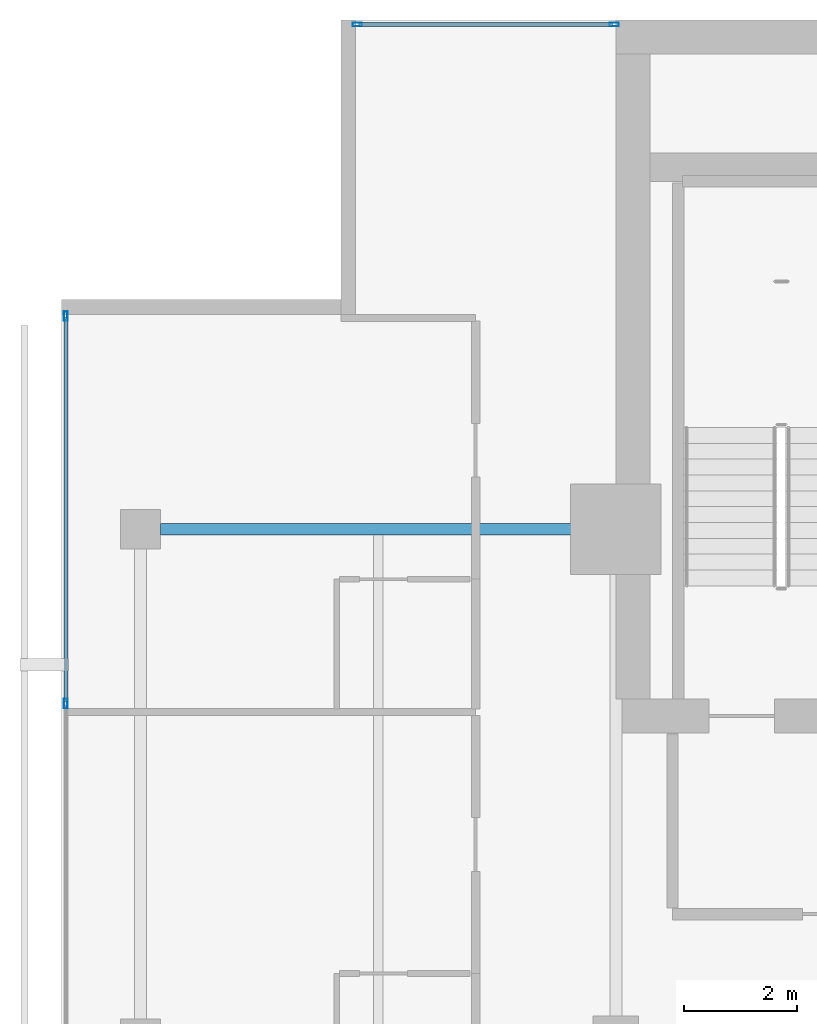
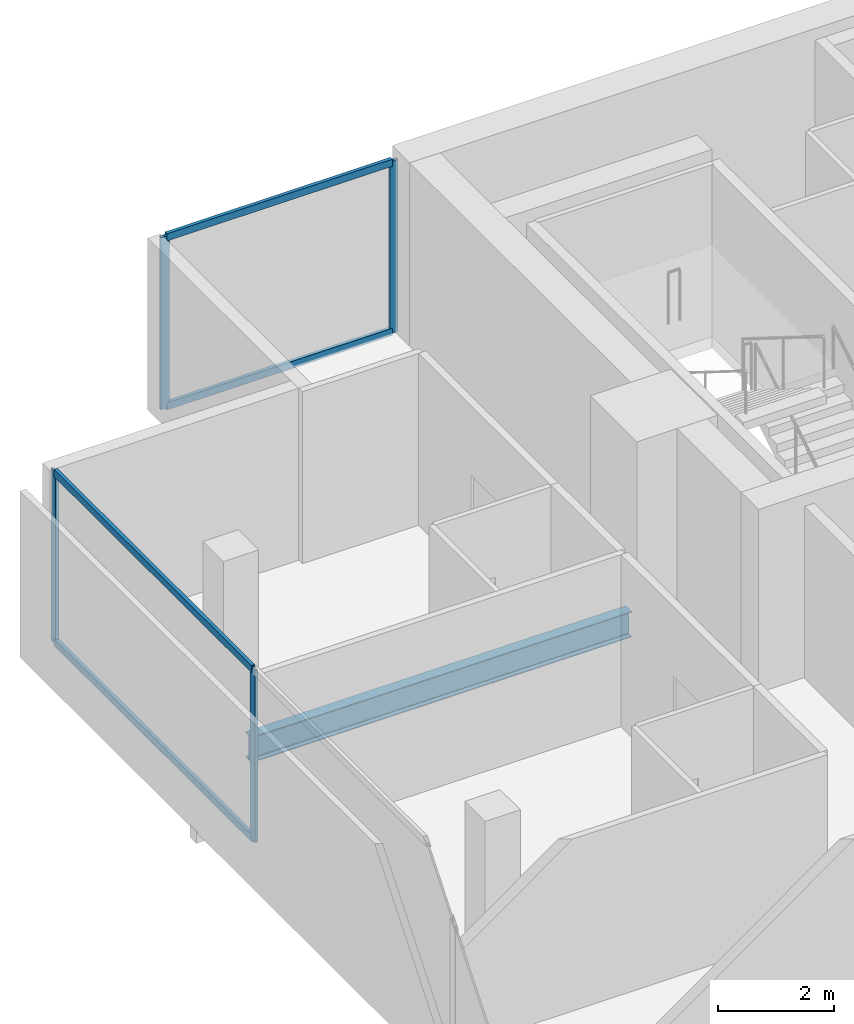
# One storey, part 16 of 25: 8 members, 1 beam, 2 elements without a shape of their own.
"""IFC4 building model written with IfcOpenShell, lengths in metres."""

from ifc_helpers import new_model, si_unit, direction, frame, origin, origin_2d, place, context, subcontext, project, spatial, hollow_rectangle, i_section, extrude, material, layer, layer_set, material_profile, profile_set, type_object, element, aggregate, save


model = new_model("IFC4")

# Units and contexts
model_context = context("Model", 3, precision=1e-05, world=origin(), true_north=direction((0.0, 1.0)))
body_context = subcontext(model_context, "Body", "Model", "MODEL_VIEW")
ifc_project = project(units=[si_unit("LENGTHUNIT", "METRE"), si_unit("AREAUNIT", "SQUARE_METRE"), si_unit("VOLUMEUNIT", "CUBIC_METRE"), si_unit("PLANEANGLEUNIT", "RADIAN"), si_unit("MASSUNIT", "GRAM", prefix="KILO")], contexts=[model_context])

# Site, building, storey
site_placement = place(None, origin())
site = spatial("IfcSite", under=ifc_project, at=site_placement, CompositionType="ELEMENT")
building_placement = place(site_placement, origin())
building = spatial("IfcBuilding", under=site, at=building_placement, Name="Maruvema Waterfront Hotel and Observation Tower", CompositionType="ELEMENT")
storey_placement = place(building_placement, frame((0.0, 0.0, 250.949951171875)))
storey = spatial("IfcBuildingStorey", under=building, at=storey_placement, Name="L61", CompositionType="ELEMENT", Elevation=250.949951171875)

# Curtain wall, members
ifc_material_1 = material(Name="Anodised bronze aluminium and solar-control low-E IGU", Category="aluminium")
ifc_layer = layer(ifc_material_1, 0.159912109375, Name="Zone 3 Champagne Inner Thermal Curtain Wall System CW-04")
ifc_layer_set = layer_set([ifc_layer], Name="Anodised bronze aluminium and solar-control low-E IGU")
curtain_wall_type = type_object("IfcCurtainWallType", Name="Zone 3 Champagne Inner Thermal Curtain Wall System CW-04", PredefinedType="USERDEFINED", material=ifc_layer_set)
curtain_wall_1_placement = place(storey_placement, origin())
curtain_wall_1 = element("IfcCurtainWall", 1, at=curtain_wall_1_placement, inside=storey, type_object=curtain_wall_type, Name="L61 Curtain Wall CW-L61-W", ObjectType="UNITISED CURTAIN WALL", PredefinedType="USERDEFINED")
ifc_material_2 = material(Name="Anodised architectural bronze aluminium", Category="aluminium")
ifc_material_profile_1 = material_profile(ifc_material_2, hollow_rectangle(XDim=0.070068359375, YDim=0.14990234375, WallThickness=0.00390625, at=origin_2d()), Name="ALU-T70x150")
ifc_profile_set_1 = profile_set([ifc_material_profile_1], Name="Anodised architectural bronze aluminium")
member_type_1 = type_object("IfcMemberType", Name="Curtain Wall Horizontal Transom ALU-T70x150", PredefinedType="USERDEFINED", material=ifc_profile_set_1)
member_1_placement = place(storey_placement, frame((15.47998046875, 48.739990234375, 0.030029296875), z_axis=(0.0, -1.0, 0.0), x_axis=(1.0, 0.0, 0.0)))
member_1 = element("IfcMember", 2, at=member_1_placement, type_object=member_type_1, Name="CW-04 transom 1.1", ObjectType="TRANSOM", PredefinedType="USERDEFINED", context=body_context, shape_type="SweptSolid", body=[
    extrude(hollow_rectangle(XDim=0.070068359375, YDim=0.14990234375, WallThickness=0.00390625, at=origin_2d()), origin(), (0.0, 0.0, 1.0), 6.7900390625),
])
member_2_placement = place(storey_placement, frame((15.47998046875, 48.739990234375, 3.580078125), z_axis=(0.0, -1.0, 0.0), x_axis=(1.0, 0.0, 0.0)))
member_2 = element("IfcMember", 3, at=member_2_placement, type_object=member_type_1, Name="CW-04 transom 1.2", ObjectType="TRANSOM", PredefinedType="USERDEFINED", context=body_context, shape_type="SweptSolid", body=[
    extrude(hollow_rectangle(XDim=0.070068359375, YDim=0.14990234375, WallThickness=0.00390625, at=origin_2d()), origin(), (0.0, 0.0, 1.0), 6.7900390625),
])

curtain_wall_2_placement = place(storey_placement, origin())
curtain_wall_2 = element("IfcCurtainWall", 4, at=curtain_wall_2_placement, inside=storey, type_object=curtain_wall_type, Name="L61 Curtain Wall CW-L61-NW", ObjectType="UNITISED CURTAIN WALL", PredefinedType="USERDEFINED")
member_3_placement = place(storey_placement, frame((25.139892578125, 53.919921875, 0.030029296875), z_axis=(-1.0, 0.0, 0.0), x_axis=(0.0, -1.0, 0.0)))
member_3 = element("IfcMember", 5, at=member_3_placement, type_object=member_type_1, Name="CW-04 transom 1.1", ObjectType="TRANSOM", PredefinedType="USERDEFINED", context=body_context, shape_type="SweptSolid", body=[
    extrude(hollow_rectangle(XDim=0.070068359375, YDim=0.14990234375, WallThickness=0.00390625, at=origin_2d()), origin(), (0.0, 0.0, 1.0), 4.47998046875),
])
member_4_placement = place(storey_placement, frame((25.139892578125, 53.919921875, 3.580078125), z_axis=(-1.0, 0.0, 0.0), x_axis=(0.0, -1.0, 0.0)))
member_4 = element("IfcMember", 6, at=member_4_placement, type_object=member_type_1, Name="CW-04 transom 1.2", ObjectType="TRANSOM", PredefinedType="USERDEFINED", context=body_context, shape_type="SweptSolid", body=[
    extrude(hollow_rectangle(XDim=0.070068359375, YDim=0.14990234375, WallThickness=0.00390625, at=origin_2d()), origin(), (0.0, 0.0, 1.0), 4.47998046875),
])

# Member
ifc_material_3 = material(Name="Anodised architectural bronze aluminium", Category="aluminium")
ifc_material_profile_2 = material_profile(ifc_material_3, hollow_rectangle(XDim=0.06494140625, YDim=0.1650390625, WallThickness=0.00390625, at=origin_2d()), Name="ALU-M65x165")
ifc_profile_set_2 = profile_set([ifc_material_profile_2], Name="Anodised architectural bronze aluminium")
member_type_2 = type_object("IfcMemberType", Name="Curtain Wall Primary Mullion ALU-M65x165", PredefinedType="MULLION", material=ifc_profile_set_2)
member_5_placement = place(storey_placement, frame((15.47998046875, 48.77001953125, 0.0), z_axis=(0.0, 0.0, 1.0), x_axis=(1.0, 0.0, 0.0)))
member_5 = element("IfcMember", 7, at=member_5_placement, type_object=member_type_2, Name="CW-04 mullion 1", PredefinedType="MULLION", context=body_context, shape_type="SweptSolid", body=[
    extrude(hollow_rectangle(XDim=0.06494140625, YDim=0.1650390625, WallThickness=0.00390625, at=origin_2d()), origin(), (0.0, 0.0, 1.0), 3.610107421875),
])

member_6_placement = place(storey_placement, frame((15.47998046875, 41.919921875, 0.0), z_axis=(0.0, 0.0, 1.0), x_axis=(1.0, 0.0, 0.0)))
member_6 = element("IfcMember", 8, at=member_6_placement, type_object=member_type_2, Name="CW-04 mullion 2", PredefinedType="MULLION", context=body_context, shape_type="SweptSolid", body=[
    extrude(hollow_rectangle(XDim=0.06494140625, YDim=0.1650390625, WallThickness=0.00390625, at=origin_2d()), origin(), (0.0, 0.0, 1.0), 3.610107421875),
])

aggregate(curtain_wall_1, [member_5, member_6, member_1, member_2])

member_7_placement = place(storey_placement, frame((25.169921875, 53.919921875, 0.0), z_axis=(0.0, 0.0, 1.0), x_axis=(0.0, -1.0, 0.0)))
member_7 = element("IfcMember", 9, at=member_7_placement, type_object=member_type_2, Name="CW-04 mullion 1", PredefinedType="MULLION", context=body_context, shape_type="SweptSolid", body=[
    extrude(hollow_rectangle(XDim=0.06494140625, YDim=0.1650390625, WallThickness=0.00390625, at=origin_2d()), origin(), (0.0, 0.0, 1.0), 3.610107421875),
])

member_8_placement = place(storey_placement, frame((20.6298828125, 53.919921875, 0.0), z_axis=(0.0, 0.0, 1.0), x_axis=(0.0, -1.0, 0.0)))
member_8 = element("IfcMember", 10, at=member_8_placement, type_object=member_type_2, Name="CW-04 mullion 2", PredefinedType="MULLION", context=body_context, shape_type="SweptSolid", body=[
    extrude(hollow_rectangle(XDim=0.06494140625, YDim=0.1650390625, WallThickness=0.00390625, at=origin_2d()), origin(), (0.0, 0.0, 1.0), 3.610107421875),
])

aggregate(curtain_wall_2, [member_7, member_8, member_3, member_4])

# Beam
ifc_material_4 = material(Name="Steel ASTM A572 Grade 50", Category="steel")
ifc_material_profile_3 = material_profile(ifc_material_4, i_section(OverallWidth=0.208984375, OverallDepth=0.532958984375, WebThickness=0.01025390625, FlangeThickness=0.015625, FilletRadius=0.014892578125, at=origin_2d()), Name="W530x92.0")
ifc_profile_set_3 = profile_set([ifc_material_profile_3], Name="Steel ASTM A572 Grade 50")
beam_type = type_object("IfcBeamType", Name="Primary Floor Girder W530x92.0", PredefinedType="BEAM", material=ifc_profile_set_3)
beam_placement = place(storey_placement, frame((17.14990234375, 45.0, -0.50634765625), z_axis=(1.0, 0.0, 0.0), x_axis=(0.0, 1.0, 0.0)))
element("IfcBeam", 11, at=beam_placement, inside=storey, type_object=beam_type, Name="L61 Floor Girder EW-17", PredefinedType="BEAM", context=body_context, shape_type="SweptSolid", body=[
    extrude(i_section(OverallWidth=0.208984375, OverallDepth=0.532958984375, WebThickness=0.01025390625, FlangeThickness=0.015625, FilletRadius=0.014892578125, at=origin_2d()), origin(), (0.0, 0.0, 1.0), 7.550048828125),
])

save(model, "model.ifc")
